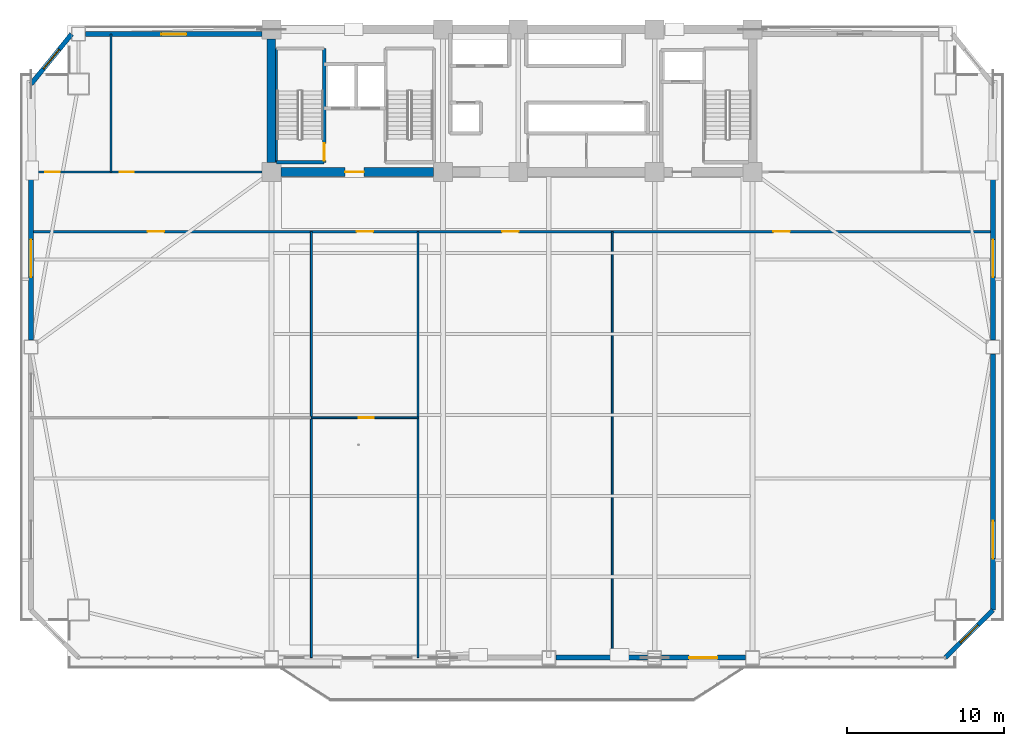
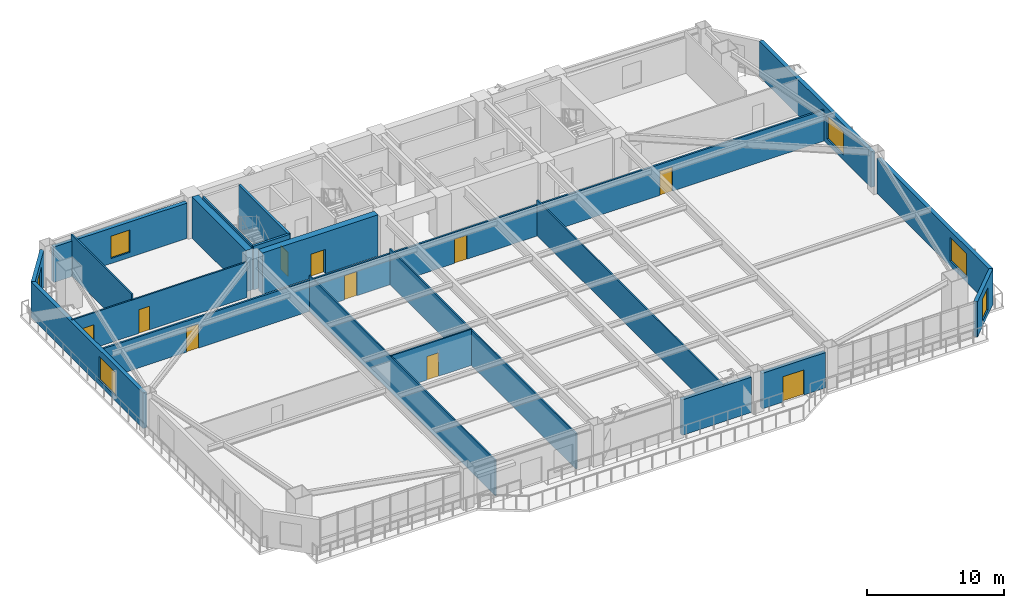
# One storey, part 8 of 15: 20 walls, 10 doors, 6 windows, 16 openings.
"""IFC4 building model written with IfcOpenShell, lengths in metres."""

from ifc_helpers import new_model, si_unit, direction, frame, frame_2d, origin, place, context, subcontext, project, spatial, rectangle, extrude, source, transform, mapped, material, layer, layer_set, type_object, element, fill, save


model = new_model("IFC4")

# Units and contexts
model_context = context("Model", 3, precision=1e-05, world=origin(), true_north=direction((0.0, 1.0)))
body_context = subcontext(model_context, "Body", "Model", "MODEL_VIEW")
ifc_project = project(units=[si_unit("LENGTHUNIT", "METRE"), si_unit("AREAUNIT", "SQUARE_METRE"), si_unit("VOLUMEUNIT", "CUBIC_METRE"), si_unit("PLANEANGLEUNIT", "RADIAN"), si_unit("MASSUNIT", "GRAM", prefix="KILO")], contexts=[model_context])

# Site, building, storey
site_placement = place(None, origin())
site = spatial("IfcSite", under=ifc_project, at=site_placement, CompositionType="ELEMENT")
building_placement = place(site_placement, origin())
building = spatial("IfcBuilding", under=site, at=building_placement, Name="Giltprow Tower", CompositionType="ELEMENT")
storey_placement = place(building_placement, frame((0.0, 0.0, 99.699951171875)))
storey = spatial("IfcBuildingStorey", under=building, at=storey_placement, Name="L24", CompositionType="ELEMENT", Elevation=99.699951171875)

# Wall, opening, window
ifc_material_1 = material(Name="Precast concrete C40", Category="concrete")
ifc_layer_1 = layer(ifc_material_1, 0.300048828125, Name="Precast concrete C40")
ifc_layer_set_1 = layer_set([ifc_layer_1], Name="Precast concrete C40")
wall_type_1 = type_object("IfcWallType", Name="EW-NOTCH-CHAMFER-300", PredefinedType="SOLIDWALL", material=ifc_layer_set_1)
wall_1_placement = place(storey_placement, frame((62.847900390625, 6.4619140625, 0.0), z_axis=(0.0, 0.0, 1.0), x_axis=(0.707135145445, 0.70707841579, 0.0)))
wall_1 = element("IfcWall", 1, at=wall_1_placement, inside=storey, type_object=wall_type_1, Name="L24 Corner Notch Wall SE", PredefinedType="SOLIDWALL", context=body_context, shape_type="SweptSolid", body=[
    extrude(rectangle(XDim=4.303466796875, YDim=0.300048828125, at=frame_2d((2.15185546875, 0.0))), origin(), (0.0, 0.0, 1.0), 3.16015625),
])
opening_1_placement = place(wall_1_placement, frame((1.35205078125, 0.0, 0.449951171875)))
opening_1 = element("IfcOpeningElement", 2, at=opening_1_placement, cuts=wall_1, Name="Opening WN17", PredefinedType="OPENING", context=body_context, shape_type="SweptSolid", body=[
    extrude(rectangle(XDim=1.60009765625, YDim=2.0, at=frame_2d((0.800048828125, 1.0))), frame((0.0, 0.159912109375, 0.0), z_axis=(0.0, -1.0, 0.0), x_axis=(1.0, 0.0, 0.0)), (0.0, 0.0, 1.0), 0.320068359375),
])
ifc_material_2 = material(Name="Insulated glass", Category="glass")
window_type_1 = type_object("IfcWindowType", Name="WN-COR-1600x2000", PartitioningType="SINGLE_PANEL", PredefinedType="WINDOW", material=ifc_material_2)
shared_shape_1 = source(origin(), body_context, "Body", "SweptSolid", [
    extrude(rectangle(XDim=1.60009765625, YDim=2.0, at=frame_2d((0.800048828125, 1.0))), frame((0.0, 0.030029296875, 0.0), z_axis=(0.0, -1.0, 0.0), x_axis=(1.0, 0.0, 0.0)), (0.0, 0.0, 1.0), 0.06005859375),
])
window_1_placement = place(opening_1_placement, origin())
window_1 = element("IfcWindow", 3, at=window_1_placement, inside=storey, type_object=window_type_1, Name="L24 Corner Notch Window SE", OverallHeight=2.0, OverallWidth=1.60009765625, PartitioningType="SINGLE_PANEL", PredefinedType="WINDOW", context=body_context, shape_type="MappedRepresentation", body=[
    mapped(shared_shape_1, transform((0.0, 0.0, 0.0), x_axis=(1.0, 0.0, 0.0), y_axis=(0.0, 1.0, 0.0), z_axis=(0.0, 0.0, 1.0), scale=1.0)),
])
fill(opening_1, window_1)

wall_2_placement = place(storey_placement, frame((7.10302734375, 46.25, 0.0), z_axis=(0.0, 0.0, 1.0), x_axis=(-0.630273101398, -0.776373503962, 0.0)))
wall_2 = element("IfcWall", 4, at=wall_2_placement, inside=storey, type_object=wall_type_1, Name="L24 Corner Notch Wall NW", PredefinedType="SOLIDWALL", context=body_context, shape_type="SweptSolid", body=[
    extrude(rectangle(XDim=4.114013671875, YDim=0.300048828125, at=frame_2d((2.05712890625, 0.0))), origin(), (0.0, 0.0, 1.0), 3.16015625),
])
opening_2_placement = place(wall_2_placement, frame((1.257080078125, 0.0, 0.449951171875)))
opening_2 = element("IfcOpeningElement", 5, at=opening_2_placement, cuts=wall_2, Name="Opening WN17", PredefinedType="OPENING", context=body_context, shape_type="SweptSolid", body=[
    extrude(rectangle(XDim=1.60009765625, YDim=2.0, at=frame_2d((0.800048828125, 1.0))), frame((0.0, 0.159912109375, 0.0), z_axis=(0.0, -1.0, 0.0), x_axis=(1.0, 0.0, 0.0)), (0.0, 0.0, 1.0), 0.320068359375),
])
window_2_placement = place(opening_2_placement, origin())
window_2 = element("IfcWindow", 6, at=window_2_placement, inside=storey, type_object=window_type_1, Name="L24 Corner Notch Window NW", OverallHeight=2.0, OverallWidth=1.60009765625, PartitioningType="SINGLE_PANEL", PredefinedType="WINDOW", context=body_context, shape_type="MappedRepresentation", body=[
    mapped(shared_shape_1, transform((0.0, 0.0, 0.0), x_axis=(1.0, 0.0, 0.0), y_axis=(0.0, 1.0, 0.0), z_axis=(0.0, 0.0, 1.0), scale=1.0)),
])
fill(opening_2, window_2)

# Wall
ifc_layer_2 = layer(ifc_material_1, 0.320068359375, Name="Precast concrete C40")
ifc_layer_set_2 = layer_set([ifc_layer_2], Name="Precast concrete C40")
wall_type_2 = type_object("IfcWallType", Name="EW-TOW-STONE-320", PredefinedType="SOLIDWALL", material=ifc_layer_set_2)
wall_3_placement = place(storey_placement, frame((38.0, 6.4619140625, 0.0), z_axis=(0.0, 0.0, 1.0), x_axis=(1.0, 0.0, 0.0)))
element("IfcWall", 7, at=wall_3_placement, inside=storey, type_object=wall_type_2, Name="L24 South Expressed Frame Wall 4", PredefinedType="SOLIDWALL", context=body_context, shape_type="SweptSolid", body=[
    extrude(rectangle(XDim=5.85009765625, YDim=0.320068359375, at=frame_2d((2.925048828125, 0.0))), origin(), (0.0, 0.0, 1.0), 3.16015625),
])

# Wall, opening, door
wall_4_placement = place(storey_placement, frame((44.75, 6.4619140625, 0.0), z_axis=(0.0, 0.0, 1.0), x_axis=(1.0, 0.0, 0.0)))
wall_4 = element("IfcWall", 8, at=wall_4_placement, inside=storey, type_object=wall_type_2, Name="L24 South Expressed Frame Wall 5", PredefinedType="SOLIDWALL", context=body_context, shape_type="SweptSolid", body=[
    extrude(rectangle(XDim=5.35009765625, YDim=0.320068359375, at=frame_2d((2.675048828125, 0.0))), origin(), (0.0, 0.0, 1.0), 3.16015625),
])
opening_3_placement = place(wall_4_placement, frame((1.75, 0.0, 0.0)))
opening_3 = element("IfcOpeningElement", 9, at=opening_3_placement, cuts=wall_4, Name="Opening ED25", PredefinedType="OPENING", context=body_context, shape_type="SweptSolid", body=[
    extrude(rectangle(XDim=1.800048828125, YDim=2.25, at=frame_2d((0.89990234375, 1.125))), frame((0.0, 0.169921875, 0.0), z_axis=(0.0, -1.0, 0.0), x_axis=(1.0, 0.0, 0.0)), (0.0, 0.0, 1.0), 0.340087890625),
])
ifc_material_3 = material(Name="Anodized bronze and glass", Category="glass")
door_type_1 = type_object("IfcDoorType", Name="DR-BALC-SLIDE-1800", OperationType="SLIDING_TO_LEFT", PredefinedType="DOOR", material=ifc_material_3)
shared_shape_2 = source(origin(), body_context, "Body", "SweptSolid", [
    extrude(rectangle(XDim=1.800048828125, YDim=2.25, at=frame_2d((0.89990234375, 1.125))), frame((0.0, 0.02490234375, 0.0), z_axis=(0.0, -1.0, 0.0), x_axis=(1.0, 0.0, 0.0)), (0.0, 0.0, 1.0), 0.050048828125),
])
door_1_placement = place(opening_3_placement, origin())
door_1 = element("IfcDoor", 10, at=door_1_placement, inside=storey, type_object=door_type_1, Name="L24 Waterfront Balcony Sliding Door 2", OperationType="SLIDING_TO_LEFT", OverallHeight=2.25, OverallWidth=1.800048828125, PredefinedType="DOOR", context=body_context, shape_type="MappedRepresentation", body=[
    mapped(shared_shape_2, transform((0.0, 0.0, 0.0), x_axis=(1.0, 0.0, 0.0), y_axis=(0.0, 1.0, 0.0), z_axis=(0.0, 0.0, 1.0), scale=1.0)),
])
fill(opening_3, door_1)

# Wall, opening, window
wall_5_placement = place(storey_placement, frame((4.510009765625, 26.72998046875, 0.0), z_axis=(0.0, 0.0, 1.0), x_axis=(0.0, 1.0, 0.0)))
wall_5 = element("IfcWall", 11, at=wall_5_placement, inside=storey, type_object=wall_type_2, Name="L24 W Wing Masonry Wall 2", PredefinedType="SOLIDWALL", context=body_context, shape_type="SweptSolid", body=[
    extrude(rectangle(XDim=16.325927734375, YDim=0.320068359375, at=frame_2d((8.1630859375, 0.0))), origin(), (0.0, 0.0, 1.0), 3.16015625),
])
opening_4_placement = place(wall_5_placement, frame((4.010986328125, 0.0, 0.449951171875)))
opening_4 = element("IfcOpeningElement", 12, at=opening_4_placement, cuts=wall_5, Name="Opening WN29", PredefinedType="OPENING", context=body_context, shape_type="SweptSolid", body=[
    extrude(rectangle(XDim=2.39990234375, YDim=2.10009765625, at=frame_2d((1.199951171875, 1.050048828125))), frame((0.0, 0.169921875, 0.0), z_axis=(0.0, -1.0, 0.0), x_axis=(1.0, 0.0, 0.0)), (0.0, 0.0, 1.0), 0.340087890625),
])
window_type_2 = type_object("IfcWindowType", Name="WN-OFF-2400x2100", PartitioningType="DOUBLE_PANEL_VERTICAL", PredefinedType="WINDOW", material=ifc_material_2)
shared_shape_3 = source(origin(), body_context, "Body", "SweptSolid", [
    extrude(rectangle(XDim=2.39990234375, YDim=2.10009765625, at=frame_2d((1.199951171875, 1.050048828125))), frame((0.0, 0.030029296875, 0.0), z_axis=(0.0, -1.0, 0.0), x_axis=(1.0, 0.0, 0.0)), (0.0, 0.0, 1.0), 0.06005859375),
])
window_3_placement = place(opening_4_placement, origin())
window_3 = element("IfcWindow", 13, at=window_3_placement, inside=storey, type_object=window_type_2, Name="L24 W Wing Window 2-1", OverallHeight=2.10009765625, OverallWidth=2.39990234375, PartitioningType="SINGLE_PANEL", PredefinedType="WINDOW", context=body_context, shape_type="MappedRepresentation", body=[
    mapped(shared_shape_3, transform((0.0, 0.0, 0.0), x_axis=(1.0, 0.0, 0.0), y_axis=(0.0, 1.0, 0.0), z_axis=(0.0, 0.0, 1.0), scale=1.0)),
])
fill(opening_4, window_3)

wall_6_placement = place(storey_placement, frame((65.89111328125, 9.5048828125, 0.0), z_axis=(0.0, 0.0, 1.0), x_axis=(0.0, 1.0, 0.0)))
wall_6 = element("IfcWall", 14, at=wall_6_placement, inside=storey, type_object=wall_type_2, Name="L24 E Wing Masonry Wall 1", PredefinedType="SOLIDWALL", context=body_context, shape_type="SweptSolid", body=[
    extrude(rectangle(XDim=16.3251953125, YDim=0.320068359375, at=frame_2d((8.16259765625, 0.0))), origin(), (0.0, 0.0, 1.0), 3.16015625),
])
opening_5_placement = place(wall_6_placement, frame((3.284912109375, 0.0, 0.449951171875)))
opening_5 = element("IfcOpeningElement", 15, at=opening_5_placement, cuts=wall_6, Name="Opening WN29", PredefinedType="OPENING", context=body_context, shape_type="SweptSolid", body=[
    extrude(rectangle(XDim=2.39990234375, YDim=2.10009765625, at=frame_2d((1.199951171875, 1.050048828125))), frame((0.0, 0.169921875, 0.0), z_axis=(0.0, -1.0, 0.0), x_axis=(1.0, 0.0, 0.0)), (0.0, 0.0, 1.0), 0.340087890625),
])
window_4_placement = place(opening_5_placement, origin())
window_4 = element("IfcWindow", 16, at=window_4_placement, inside=storey, type_object=window_type_2, Name="L24 E Wing Window 1-1A", OverallHeight=2.10009765625, OverallWidth=2.39990234375, PartitioningType="SINGLE_PANEL", PredefinedType="WINDOW", context=body_context, shape_type="MappedRepresentation", body=[
    mapped(shared_shape_3, transform((0.0, 0.0, 0.0), x_axis=(1.0, 0.0, 0.0), y_axis=(0.0, 1.0, 0.0), z_axis=(0.0, 0.0, 1.0), scale=1.0)),
])
fill(opening_5, window_4)

wall_7_placement = place(storey_placement, frame((65.89111328125, 26.72998046875, 0.0), z_axis=(0.0, 0.0, 1.0), x_axis=(0.0, 1.0, 0.0)))
wall_7 = element("IfcWall", 17, at=wall_7_placement, inside=storey, type_object=wall_type_2, Name="L24 E Wing Masonry Wall 2", PredefinedType="SOLIDWALL", context=body_context, shape_type="SweptSolid", body=[
    extrude(rectangle(XDim=16.325927734375, YDim=0.320068359375, at=frame_2d((8.1630859375, 0.0))), origin(), (0.0, 0.0, 1.0), 3.16015625),
])
opening_6_placement = place(wall_7_placement, frame((4.010986328125, 0.0, 0.449951171875)))
opening_6 = element("IfcOpeningElement", 18, at=opening_6_placement, cuts=wall_7, Name="Opening WN29", PredefinedType="OPENING", context=body_context, shape_type="SweptSolid", body=[
    extrude(rectangle(XDim=2.39990234375, YDim=2.10009765625, at=frame_2d((1.199951171875, 1.050048828125))), frame((0.0, 0.169921875, 0.0), z_axis=(0.0, -1.0, 0.0), x_axis=(1.0, 0.0, 0.0)), (0.0, 0.0, 1.0), 0.340087890625),
])
window_5_placement = place(opening_6_placement, origin())
window_5 = element("IfcWindow", 19, at=window_5_placement, inside=storey, type_object=window_type_2, Name="L24 E Wing Window 2-1", OverallHeight=2.10009765625, OverallWidth=2.39990234375, PartitioningType="SINGLE_PANEL", PredefinedType="WINDOW", context=body_context, shape_type="MappedRepresentation", body=[
    mapped(shared_shape_3, transform((0.0, 0.0, 0.0), x_axis=(1.0, 0.0, 0.0), y_axis=(0.0, 1.0, 0.0), z_axis=(0.0, 0.0, 1.0), scale=1.0)),
])
fill(opening_6, window_5)

wall_8_placement = place(storey_placement, frame((8.0029296875, 46.25, 0.0), z_axis=(0.0, 0.0, 1.0), x_axis=(1.0, 0.0, 0.0)))
wall_8 = element("IfcWall", 20, at=wall_8_placement, inside=storey, type_object=wall_type_2, Name="L24 North-West Wing Wall", PredefinedType="SOLIDWALL", context=body_context, shape_type="SweptSolid", body=[
    extrude(rectangle(XDim=11.2470703125, YDim=0.320068359375, at=frame_2d((5.62353515625, 0.0))), origin(), (0.0, 0.0, 1.0), 3.16015625),
])
opening_7_placement = place(wall_8_placement, frame((4.823974609375, 0.0, 0.449951171875)))
opening_7 = element("IfcOpeningElement", 21, at=opening_7_placement, cuts=wall_8, Name="Opening WN17", PredefinedType="OPENING", context=body_context, shape_type="SweptSolid", body=[
    extrude(rectangle(XDim=1.60009765625, YDim=2.0, at=frame_2d((0.800048828125, 1.0))), frame((0.0, 0.169921875, 0.0), z_axis=(0.0, -1.0, 0.0), x_axis=(1.0, 0.0, 0.0)), (0.0, 0.0, 1.0), 0.340087890625),
])
window_6_placement = place(opening_7_placement, origin())
window_6 = element("IfcWindow", 22, at=window_6_placement, inside=storey, type_object=window_type_1, Name="L24 North-West Window", OverallHeight=2.0, OverallWidth=1.60009765625, PartitioningType="SINGLE_PANEL", PredefinedType="WINDOW", context=body_context, shape_type="MappedRepresentation", body=[
    mapped(shared_shape_1, transform((0.0, 0.0, 0.0), x_axis=(1.0, 0.0, 0.0), y_axis=(0.0, 1.0, 0.0), z_axis=(0.0, 0.0, 1.0), scale=1.0)),
])
fill(opening_7, window_6)

# Wall, openings, doors
ifc_material_4 = material(Name="Gypsum stud partition", Category="gypsum")
ifc_layer_3 = layer(ifc_material_4, 0.14990234375, Name="Gypsum stud partition")
ifc_layer_set_3 = layer_set([ifc_layer_3], Name="Gypsum stud partition")
wall_type_3 = type_object("IfcWallType", Name="IW-CORR-150", PredefinedType="PARTITIONING", material=ifc_layer_set_3)
wall_9_placement = place(storey_placement, frame((4.510009765625, 33.64990234375, 0.0), z_axis=(0.0, 0.0, 1.0), x_axis=(1.0, 0.0, 0.0)))
wall_9 = element("IfcWall", 23, at=wall_9_placement, inside=storey, type_object=wall_type_3, Name="L24 Office Loop Corridor Wall", PredefinedType="PARTITIONING", context=body_context, shape_type="SweptSolid", body=[
    extrude(rectangle(XDim=61.381103515625, YDim=0.14990234375, at=frame_2d((30.6904296875, 0.0))), origin(), (0.0, 0.0, 1.0), 2.76513671875),
])
opening_8_placement = place(wall_9_placement, frame((7.44189453125, 0.0, 0.0)))
opening_8 = element("IfcOpeningElement", 24, at=opening_8_placement, cuts=wall_9, Name="Opening ID31", PredefinedType="OPENING", context=body_context, shape_type="SweptSolid", body=[
    extrude(rectangle(XDim=1.050048828125, YDim=2.14990234375, at=frame_2d((0.52490234375, 1.074951171875))), frame((0.0, 0.0849609375, 0.0), z_axis=(0.0, -1.0, 0.0), x_axis=(1.0, 0.0, 0.0)), (0.0, 0.0, 1.0), 0.169921875),
])
opening_9_placement = place(wall_9_placement, frame((20.77587890625, 0.0, 0.0)))
opening_9 = element("IfcOpeningElement", 25, at=opening_9_placement, cuts=wall_9, Name="Opening ID31", PredefinedType="OPENING", context=body_context, shape_type="SweptSolid", body=[
    extrude(rectangle(XDim=1.050048828125, YDim=2.14990234375, at=frame_2d((0.52490234375, 1.074951171875))), frame((0.0, 0.0849609375, 0.0), z_axis=(0.0, -1.0, 0.0), x_axis=(1.0, 0.0, 0.0)), (0.0, 0.0, 1.0), 0.169921875),
])
opening_10_placement = place(wall_9_placement, frame((30.06103515625, 0.0, 0.0)))
opening_10 = element("IfcOpeningElement", 26, at=opening_10_placement, cuts=wall_9, Name="Opening ID31", PredefinedType="OPENING", context=body_context, shape_type="SweptSolid", body=[
    extrude(rectangle(XDim=1.050048828125, YDim=2.14990234375, at=frame_2d((0.52490234375, 1.074951171875))), frame((0.0, 0.0849609375, 0.0), z_axis=(0.0, -1.0, 0.0), x_axis=(1.0, 0.0, 0.0)), (0.0, 0.0, 1.0), 0.169921875),
])
opening_11_placement = place(wall_9_placement, frame((47.37109375, 0.0, 0.0)))
opening_11 = element("IfcOpeningElement", 27, at=opening_11_placement, cuts=wall_9, Name="Opening ID31", PredefinedType="OPENING", context=body_context, shape_type="SweptSolid", body=[
    extrude(rectangle(XDim=1.050048828125, YDim=2.14990234375, at=frame_2d((0.52490234375, 1.074951171875))), frame((0.0, 0.0849609375, 0.0), z_axis=(0.0, -1.0, 0.0), x_axis=(1.0, 0.0, 0.0)), (0.0, 0.0, 1.0), 0.169921875),
])
ifc_material_5 = material(Name="Engineered timber", Category="wood")
door_type_2 = type_object("IfcDoorType", Name="DR-SUITE-1050", OperationType="SINGLE_SWING_LEFT", PredefinedType="DOOR", material=ifc_material_5)
shared_shape_4 = source(origin(), body_context, "Body", "SweptSolid", [
    extrude(rectangle(XDim=1.050048828125, YDim=2.14990234375, at=frame_2d((0.52490234375, 1.074951171875))), frame((0.0, 0.02490234375, 0.0), z_axis=(0.0, -1.0, 0.0), x_axis=(1.0, 0.0, 0.0)), (0.0, 0.0, 1.0), 0.050048828125),
])
door_2_placement = place(opening_8_placement, origin())
door_2 = element("IfcDoor", 28, at=door_2_placement, inside=storey, type_object=door_type_2, Name="L24 Suite Reception Foyer Door", OperationType="SINGLE_SWING_RIGHT", OverallHeight=2.14990234375, OverallWidth=1.050048828125, PredefinedType="DOOR", context=body_context, shape_type="MappedRepresentation", body=[
    mapped(shared_shape_4, transform((0.0, 0.0, 0.0), x_axis=(1.0, 0.0, 0.0), y_axis=(0.0, 1.0, 0.0), z_axis=(0.0, 0.0, 1.0), scale=1.0)),
])
fill(opening_8, door_2)
door_3_placement = place(opening_9_placement, origin())
door_3 = element("IfcDoor", 29, at=door_3_placement, inside=storey, type_object=door_type_2, Name="L24 Suite Reception Foyer Door", OperationType="SINGLE_SWING_RIGHT", OverallHeight=2.14990234375, OverallWidth=1.050048828125, PredefinedType="DOOR", context=body_context, shape_type="MappedRepresentation", body=[
    mapped(shared_shape_4, transform((0.0, 0.0, 0.0), x_axis=(1.0, 0.0, 0.0), y_axis=(0.0, 1.0, 0.0), z_axis=(0.0, 0.0, 1.0), scale=1.0)),
])
fill(opening_9, door_3)
door_4_placement = place(opening_10_placement, origin())
door_4 = element("IfcDoor", 30, at=door_4_placement, inside=storey, type_object=door_type_2, Name="L24 Quiet Fireside Lounge 3 Door", OperationType="SINGLE_SWING_RIGHT", OverallHeight=2.14990234375, OverallWidth=1.050048828125, PredefinedType="DOOR", context=body_context, shape_type="MappedRepresentation", body=[
    mapped(shared_shape_4, transform((0.0, 0.0, 0.0), x_axis=(1.0, 0.0, 0.0), y_axis=(0.0, 1.0, 0.0), z_axis=(0.0, 0.0, 1.0), scale=1.0)),
])
fill(opening_10, door_4)
door_5_placement = place(opening_11_placement, origin())
door_5 = element("IfcDoor", 31, at=door_5_placement, inside=storey, type_object=door_type_2, Name="L24 Executive Cigar Lounge 4 Door", OperationType="SINGLE_SWING_LEFT", OverallHeight=2.14990234375, OverallWidth=1.050048828125, PredefinedType="DOOR", context=body_context, shape_type="MappedRepresentation", body=[
    mapped(shared_shape_4, transform((0.0, 0.0, 0.0), x_axis=(1.0, 0.0, 0.0), y_axis=(0.0, 1.0, 0.0), z_axis=(0.0, 0.0, 1.0), scale=1.0)),
])
fill(opening_11, door_5)

# Wall
ifc_layer_4 = layer(ifc_material_4, 0.1201171875, Name="Gypsum stud partition")
ifc_layer_set_4 = layer_set([ifc_layer_4], Name="Gypsum stud partition")
wall_type_4 = type_object("IfcWallType", Name="IW-ROOM-120", PredefinedType="PARTITIONING", material=ifc_layer_set_4)
wall_10_placement = place(storey_placement, frame((22.39990234375, 6.4619140625, 0.0), z_axis=(0.0, 0.0, 1.0), x_axis=(0.0, 1.0, 0.0)))
element("IfcWall", 32, at=wall_10_placement, inside=storey, type_object=wall_type_4, Name="L24 Office Partition 1", PredefinedType="PARTITIONING", context=body_context, shape_type="SweptSolid", body=[
    extrude(rectangle(XDim=27.18798828125, YDim=0.1201171875, at=frame_2d((13.593994140625, 0.0))), origin(), (0.0, 0.0, 1.0), 3.1650390625),
])

# Wall, opening, door
wall_11_placement = place(storey_placement, frame((22.39990234375, 21.77490234375, 0.0), z_axis=(0.0, 0.0, 1.0), x_axis=(1.0, 0.0, 0.0)))
wall_11 = element("IfcWall", 33, at=wall_11_placement, inside=storey, type_object=wall_type_4, Name="L24 Office Mid Wall 2", PredefinedType="PARTITIONING", context=body_context, shape_type="SweptSolid", body=[
    extrude(rectangle(XDim=6.800048828125, YDim=0.1201171875, at=frame_2d((3.39990234375, 0.0))), origin(), (0.0, 0.0, 1.0), 3.215087890625),
])
opening_12_placement = place(wall_11_placement, frame((3.01904296875, 0.0, 0.0)))
opening_12 = element("IfcOpeningElement", 34, at=opening_12_placement, cuts=wall_11, Name="Opening ID11", PredefinedType="OPENING", context=body_context, shape_type="SweptSolid", body=[
    extrude(rectangle(XDim=0.949951171875, YDim=2.10009765625, at=frame_2d((0.47509765625, 1.050048828125))), frame((0.0, 0.070068359375, 0.0), z_axis=(0.0, -1.0, 0.0), x_axis=(1.0, 0.0, 0.0)), (0.0, 0.0, 1.0), 0.14013671875),
])
door_type_3 = type_object("IfcDoorType", Name="DR-ROOM-950", OperationType="SINGLE_SWING_RIGHT", PredefinedType="DOOR", material=ifc_material_5)
shared_shape_5 = source(origin(), body_context, "Body", "SweptSolid", [
    extrude(rectangle(XDim=0.949951171875, YDim=2.10009765625, at=frame_2d((0.47509765625, 1.050048828125))), frame((0.0, 0.02490234375, 0.0), z_axis=(0.0, -1.0, 0.0), x_axis=(1.0, 0.0, 0.0)), (0.0, 0.0, 1.0), 0.050048828125),
])
door_6_placement = place(opening_12_placement, origin())
door_6 = element("IfcDoor", 35, at=door_6_placement, inside=storey, type_object=door_type_3, Name="L24 Members Club Lounge 2 Inner Door", OperationType="SINGLE_SWING_LEFT", OverallHeight=2.10009765625, OverallWidth=0.949951171875, PredefinedType="DOOR", context=body_context, shape_type="MappedRepresentation", body=[
    mapped(shared_shape_5, transform((0.0, 0.0, 0.0), x_axis=(1.0, 0.0, 0.0), y_axis=(0.0, 1.0, 0.0), z_axis=(0.0, 0.0, 1.0), scale=1.0)),
])
fill(opening_12, door_6)

# Walls
for number, where, z_axis, x_axis, name in (
    (36, (29.199951171875, 6.4619140625, 0.0), (0.0, 0.0, 1.0), (0.0, 1.0, 0.0), "L24 Office Partition 2"),
    (37, (41.60009765625, 6.4619140625, 0.0), (0.0, 0.0, 1.0), (0.0, 1.0, 0.0), "L24 Office Partition 3"),
):
    element("IfcWall", number, at=place(storey_placement, frame(where, z_axis=z_axis, x_axis=x_axis)), inside=storey, type_object=wall_type_4, Name=name, PredefinedType="PARTITIONING", context=body_context, shape_type="SweptSolid", body=[
        extrude(rectangle(XDim=27.18798828125, YDim=0.1201171875, at=frame_2d((13.593994140625, 0.0))), origin(), (0.0, 0.0, 1.0), 3.1650390625),
    ])
ifc_material_6 = material(Name="Concrete C45", Category="concrete")
ifc_layer_5 = layer(ifc_material_6, 0.139892578125, Name="Concrete C45")
ifc_layer_set_5 = layer_set([ifc_layer_5], Name="Concrete C45")
wall_type_5 = type_object("IfcWallType", Name="IW-STAIR-140", PredefinedType="SOLIDWALL", material=ifc_layer_set_5)
wall_12_placement = place(storey_placement, frame((20.169921875, 38.070068359375, 0.0), z_axis=(0.0, 0.0, 1.0), x_axis=(0.0, 1.0, 0.0)))
element("IfcWall", 38, at=wall_12_placement, inside=storey, type_object=wall_type_5, Name="L24 Stair ST-1 West Bearing Wall", PredefinedType="SOLIDWALL", context=body_context, shape_type="SweptSolid", body=[
    extrude(rectangle(XDim=7.25, YDim=0.139892578125, at=frame_2d((3.625, 0.0))), origin(), (0.0, 0.0, 1.0), 3.900146484375),
])

# Wall, opening, door
ifc_material_7 = material(Name="Concrete C40", Category="concrete")
ifc_layer_6 = layer(ifc_material_7, 0.199951171875, Name="Concrete C40")
ifc_layer_set_6 = layer_set([ifc_layer_6], Name="Concrete C40")
wall_type_6 = type_object("IfcWallType", Name="IW-STAIR-200", PredefinedType="SOLIDWALL", material=ifc_layer_set_6)
wall_13_placement = place(storey_placement, frame((23.219970703125, 38.070068359375, 0.0), z_axis=(0.0, 0.0, 1.0), x_axis=(0.0, 1.0, 0.0)))
wall_13 = element("IfcWall", 39, at=wall_13_placement, inside=storey, type_object=wall_type_6, Name="L24 Stair ST-1 East Bearing Wall", PredefinedType="SOLIDWALL", context=body_context, shape_type="SweptSolid", body=[
    extrude(rectangle(XDim=7.25, YDim=0.199951171875, at=frame_2d((3.625, 0.0))), origin(), (0.0, 0.0, 1.0), 3.900146484375),
])
opening_13_placement = place(wall_13_placement, frame((0.110107421875, 0.0, 0.0)))
opening_13 = element("IfcOpeningElement", 40, at=opening_13_placement, cuts=wall_13, Name="Opening ID33", PredefinedType="OPENING", context=body_context, shape_type="SweptSolid", body=[
    extrude(rectangle(XDim=1.10009765625, YDim=2.14990234375, at=frame_2d((0.550048828125, 1.074951171875))), frame((0.0, 0.10986328125, 0.0), z_axis=(0.0, -1.0, 0.0), x_axis=(1.0, 0.0, 0.0)), (0.0, 0.0, 1.0), 0.219970703125),
])
ifc_material_8 = material(Name="Steel fire leaf", Category="steel")
door_type_4 = type_object("IfcDoorType", Name="DR-STAIR-1100", OperationType="SINGLE_SWING_LEFT", PredefinedType="DOOR", material=ifc_material_8)
shared_shape_6 = source(origin(), body_context, "Body", "SweptSolid", [
    extrude(rectangle(XDim=1.10009765625, YDim=2.14990234375, at=frame_2d((0.550048828125, 1.074951171875))), frame((0.0, 0.02490234375, 0.0), z_axis=(0.0, -1.0, 0.0), x_axis=(1.0, 0.0, 0.0)), (0.0, 0.0, 1.0), 0.050048828125),
])
door_7_placement = place(opening_13_placement, origin())
door_7 = element("IfcDoor", 41, at=door_7_placement, inside=storey, type_object=door_type_4, Name="L24 Stair ST-1 Fire Door", OperationType="SINGLE_SWING_LEFT", OverallHeight=2.14990234375, OverallWidth=1.10009765625, PredefinedType="DOOR", context=body_context, shape_type="MappedRepresentation", body=[
    mapped(shared_shape_6, transform((0.0, 0.0, 0.0), x_axis=(1.0, 0.0, 0.0), y_axis=(0.0, 1.0, 0.0), z_axis=(0.0, 0.0, 1.0), scale=1.0)),
])
fill(opening_13, door_7)

# Wall
wall_14_placement = place(storey_placement, frame((20.169921875, 38.070068359375, 0.0), z_axis=(0.0, 0.0, 1.0), x_axis=(1.0, 0.0, 0.0)))
element("IfcWall", 42, at=wall_14_placement, inside=storey, type_object=wall_type_6, Name="L24 Stair ST-1 South Bearing Wall", PredefinedType="SOLIDWALL", context=body_context, shape_type="SweptSolid", body=[
    extrude(rectangle(XDim=3.050048828125, YDim=0.199951171875, at=frame_2d((1.52490234375, 0.0))), origin(), (0.0, 0.0, 1.0), 3.900146484375),
])

# Wall, openings, doors
ifc_material_9 = material(Name="Concrete C30", Category="concrete")
ifc_layer_7 = layer(ifc_material_9, 0.1298828125, Name="Concrete C30")
ifc_layer_set_7 = layer_set([ifc_layer_7], Name="Concrete C30")
wall_type_7 = type_object("IfcWallType", Name="IW-WET-130", PredefinedType="PARTITIONING", material=ifc_layer_set_7)
wall_15_placement = place(storey_placement, frame((4.510009765625, 37.449951171875, 0.0), z_axis=(0.0, 0.0, 1.0), x_axis=(1.0, 0.0, 0.0)))
wall_15 = element("IfcWall", 43, at=wall_15_placement, inside=storey, type_object=wall_type_7, Name="L24 NW Wing South Wall", PredefinedType="PARTITIONING", context=body_context, shape_type="SweptSolid", body=[
    extrude(rectangle(XDim=14.739990234375, YDim=0.1298828125, at=frame_2d((7.3701171875, 0.0))), origin(), (0.0, 0.0, 1.0), 3.1650390625),
])
opening_14_placement = place(wall_15_placement, frame((0.89990234375, 0.0, 0.0)))
opening_14 = element("IfcOpeningElement", 44, at=opening_14_placement, cuts=wall_15, Name="Opening ID11", PredefinedType="OPENING", context=body_context, shape_type="SweptSolid", body=[
    extrude(rectangle(XDim=0.949951171875, YDim=2.10009765625, at=frame_2d((0.47509765625, 1.050048828125))), frame((0.0, 0.074951171875, 0.0), z_axis=(0.0, -1.0, 0.0), x_axis=(1.0, 0.0, 0.0)), (0.0, 0.0, 1.0), 0.14990234375),
])
opening_15_placement = place(wall_15_placement, frame((5.659912109375, 0.0, 0.0)))
opening_15 = element("IfcOpeningElement", 45, at=opening_15_placement, cuts=wall_15, Name="Opening ID15", PredefinedType="OPENING", context=body_context, shape_type="SweptSolid", body=[
    extrude(rectangle(XDim=0.89990234375, YDim=2.10009765625, at=frame_2d((0.449951171875, 1.050048828125))), frame((0.0, 0.074951171875, 0.0), z_axis=(0.0, -1.0, 0.0), x_axis=(1.0, 0.0, 0.0)), (0.0, 0.0, 1.0), 0.14990234375),
])
door_type_5 = type_object("IfcDoorType", Name="DR-WC-900", OperationType="SINGLE_SWING_LEFT", PredefinedType="DOOR", material=ifc_material_5)
shared_shape_7 = source(origin(), body_context, "Body", "SweptSolid", [
    extrude(rectangle(XDim=0.89990234375, YDim=2.10009765625, at=frame_2d((0.449951171875, 1.050048828125))), frame((0.0, 0.02490234375, 0.0), z_axis=(0.0, -1.0, 0.0), x_axis=(1.0, 0.0, 0.0)), (0.0, 0.0, 1.0), 0.050048828125),
])
door_8_placement = place(opening_15_placement, origin())
door_8 = element("IfcDoor", 46, at=door_8_placement, inside=storey, type_object=door_type_5, Name="L24 NW Washroom Door", OperationType="SINGLE_SWING_LEFT", OverallHeight=2.10009765625, OverallWidth=0.89990234375, PredefinedType="DOOR", context=body_context, shape_type="MappedRepresentation", body=[
    mapped(shared_shape_7, transform((0.0, 0.0, 0.0), x_axis=(1.0, 0.0, 0.0), y_axis=(0.0, 1.0, 0.0), z_axis=(0.0, 0.0, 1.0), scale=1.0)),
])
fill(opening_15, door_8)
door_9_placement = place(opening_14_placement, origin())
door_9 = element("IfcDoor", 47, at=door_9_placement, inside=storey, type_object=door_type_3, Name="L24 West Tenant Office West Door", OperationType="SINGLE_SWING_RIGHT", OverallHeight=2.10009765625, OverallWidth=0.949951171875, PredefinedType="DOOR", context=body_context, shape_type="MappedRepresentation", body=[
    mapped(shared_shape_5, transform((0.0, 0.0, 0.0), x_axis=(1.0, 0.0, 0.0), y_axis=(0.0, 1.0, 0.0), z_axis=(0.0, 0.0, 1.0), scale=1.0)),
])
fill(opening_14, door_9)

# Wall
wall_16_placement = place(storey_placement, frame((9.6201171875, 37.449951171875, 0.0), z_axis=(0.0, 0.0, 1.0), x_axis=(0.0, 1.0, 0.0)))
element("IfcWall", 48, at=wall_16_placement, inside=storey, type_object=wall_type_7, Name="L24 NW Wing Divider", PredefinedType="PARTITIONING", context=body_context, shape_type="SweptSolid", body=[
    extrude(rectangle(XDim=8.800048828125, YDim=0.1298828125, at=frame_2d((4.39990234375, 0.0))), origin(), (0.0, 0.0, 1.0), 3.679931640625),
])

# Wall, opening, door
ifc_material_10 = material(Name="Concrete C60", Category="concrete")
ifc_layer_8 = layer(ifc_material_10, 0.550048828125, Name="Concrete C60")
ifc_layer_set_8 = layer_set([ifc_layer_8], Name="Concrete C60")
wall_type_8 = type_object("IfcWallType", Name="SW-INT-550-C60", PredefinedType="SHEAR", material=ifc_layer_set_8)
wall_17_placement = place(storey_placement, frame((20.449951171875, 37.449951171875, 0.0), z_axis=(0.0, 0.0, 1.0), x_axis=(1.0, 0.0, 0.0)))
wall_17 = element("IfcWall", 49, at=wall_17_placement, inside=storey, type_object=wall_type_8, Name="L24 South Rear Core Shear Wall West", PredefinedType="SHEAR", context=body_context, shape_type="SweptSolid", body=[
    extrude(rectangle(XDim=9.75, YDim=0.550048828125, at=frame_2d((4.875, 0.0))), origin(), (0.0, 0.0, 1.0), 3.679931640625),
])
opening_16_placement = place(wall_17_placement, frame((4.10009765625, 0.0, 0.0)))
opening_16 = element("IfcOpeningElement", 50, at=opening_16_placement, cuts=wall_17, Name="Opening ID19", PredefinedType="OPENING", context=body_context, shape_type="SweptSolid", body=[
    extrude(rectangle(XDim=1.199951171875, YDim=2.14990234375, at=frame_2d((0.60009765625, 1.074951171875))), frame((0.0, 0.284912109375, 0.0), z_axis=(0.0, -1.0, 0.0), x_axis=(1.0, 0.0, 0.0)), (0.0, 0.0, 1.0), 0.570068359375),
])
door_type_6 = type_object("IfcDoorType", Name="DR-FFLOBBY-1200", OperationType="SINGLE_SWING_RIGHT", PredefinedType="DOOR", material=ifc_material_8)
shared_shape_8 = source(origin(), body_context, "Body", "SweptSolid", [
    extrude(rectangle(XDim=1.199951171875, YDim=2.14990234375, at=frame_2d((0.60009765625, 1.074951171875))), frame((0.0, 0.02490234375, 0.0), z_axis=(0.0, -1.0, 0.0), x_axis=(1.0, 0.0, 0.0)), (0.0, 0.0, 1.0), 0.050048828125),
])
door_10_placement = place(opening_16_placement, origin())
door_10 = element("IfcDoor", 51, at=door_10_placement, inside=storey, type_object=door_type_6, Name="L24 West Firefighting Lobby Entry Door", OperationType="SINGLE_SWING_RIGHT", OverallHeight=2.14990234375, OverallWidth=1.199951171875, PredefinedType="DOOR", context=body_context, shape_type="MappedRepresentation", body=[
    mapped(shared_shape_8, transform((0.0, 0.0, 0.0), x_axis=(1.0, 0.0, 0.0), y_axis=(0.0, 1.0, 0.0), z_axis=(0.0, 0.0, 1.0), scale=1.0)),
])
fill(opening_16, door_10)

# Wall
wall_18_placement = place(storey_placement, frame((19.85009765625, 38.050048828125, 0.0), z_axis=(0.0, 0.0, 1.0), x_axis=(0.0, 1.0, 0.0)))
element("IfcWall", 52, at=wall_18_placement, inside=storey, type_object=wall_type_8, Name="L24 W Rear Core Shear Wall", PredefinedType="SHEAR", context=body_context, shape_type="SweptSolid", body=[
    extrude(rectangle(XDim=7.89990234375, YDim=0.550048828125, at=frame_2d((3.949951171875, 0.0))), origin(), (0.0, 0.0, 1.0), 3.679931640625),
])

save(model, "model.ifc")
